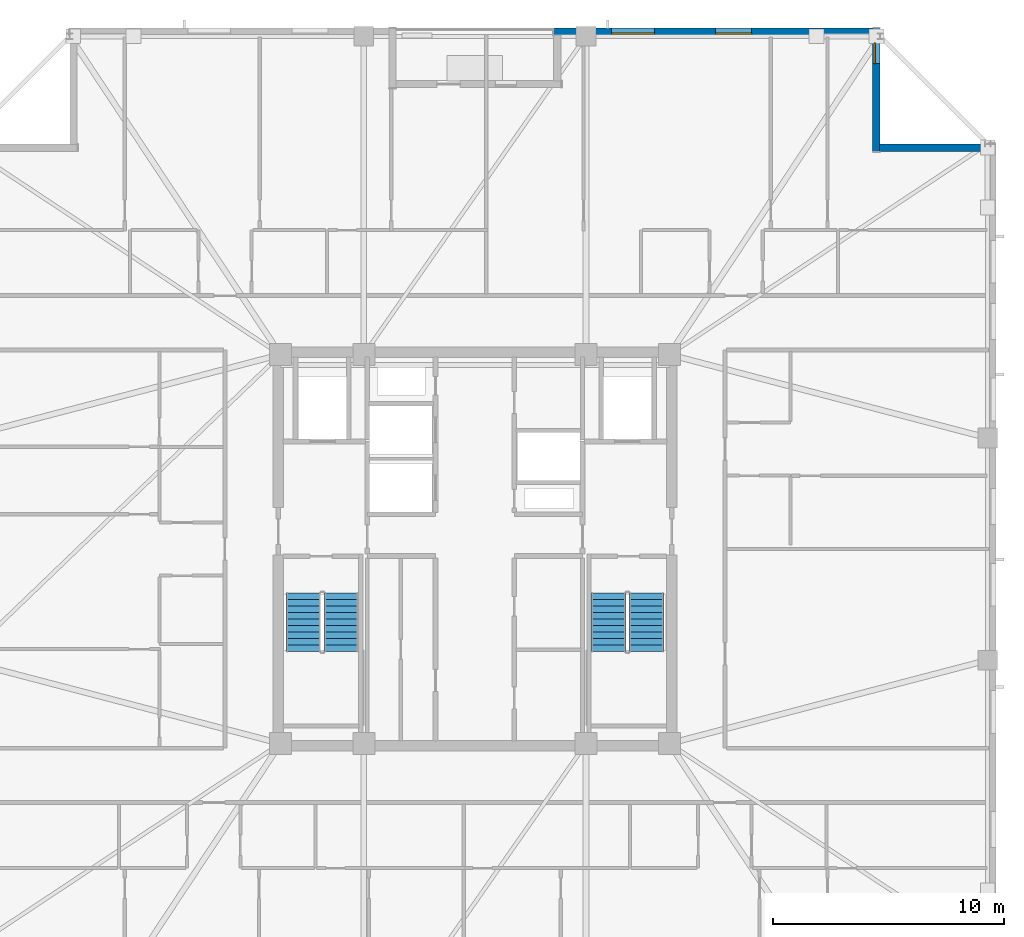
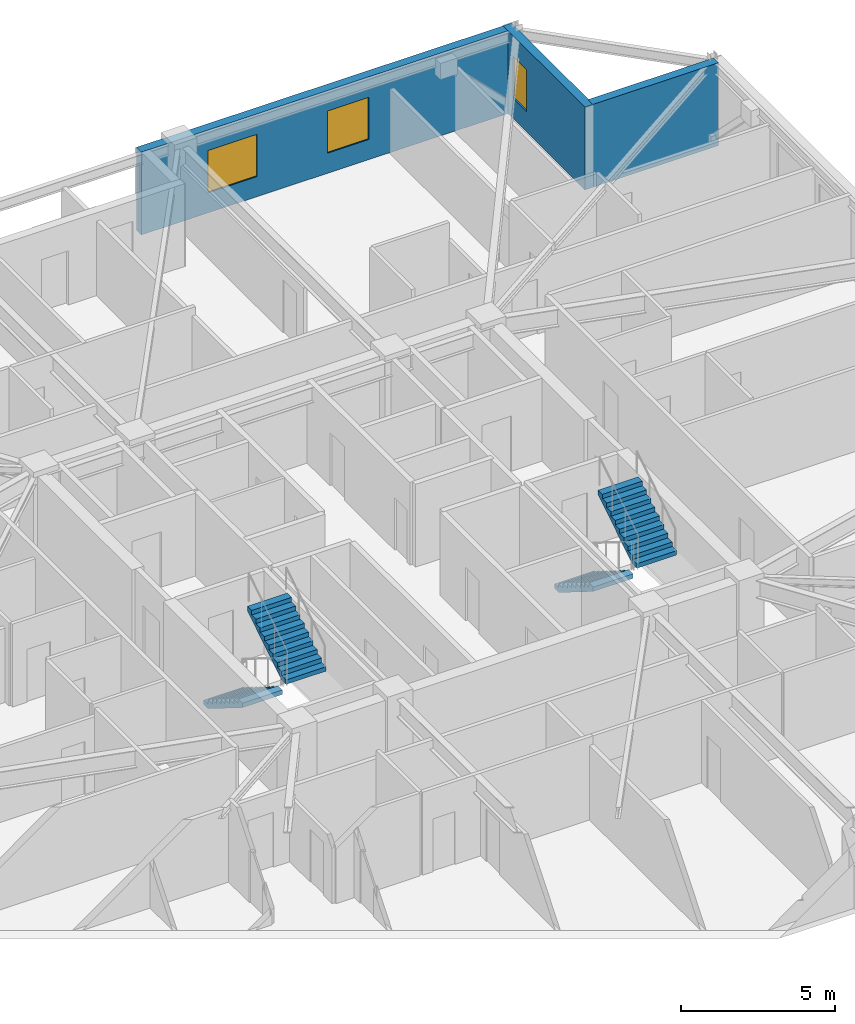
# One storey, part 12 of 17: 4 stair flights, 3 walls, 3 windows, 3 openings, 2 elements without a shape of their own.
"""IFC4 building model written with IfcOpenShell, lengths in metres."""

import ifcopenshell
import ifcopenshell.guid

model = None  # the IFC model being written
_history = None  # IfcOwnerHistory: only IFC2X3 demands one
_inside = {}  # id of a spatial element -> (the spatial element, [elements in it])
_under = {}  # id of a project, library or spatial element -> (it, [spatial elements below it])
_declared = {}  # id of a project -> (the project, [libraries it declares])
_typed = {}  # id of a type object -> (the type object, [elements of that type])
_made_of = {}  # id of a material, layer set ... -> (it, [elements and type objects made of it])


def new_model(schema):
    """Start an empty IFC model of exactly this schema.

    Asked for "IFC4X3", IfcOpenShell would pick the latest addendum, in which some entities
    have other attributes; the version numbers below select the first issue.
    IFC2X3 requires an IfcOwnerHistory on every rooted entity: one is made here for all.
    """
    global model, _history
    if schema == "IFC4X3":
        model = ifcopenshell.file(schema_version=(4, 3, 0, 0))
    else:
        model = ifcopenshell.file(schema=schema)
    _inside.clear()
    _under.clear()
    _declared.clear()
    _typed.clear()
    _made_of.clear()
    _history = None
    if model.schema == "IFC2X3":
        org = make("IfcOrganization", Name="unknown")
        user = make(
            "IfcPersonAndOrganization",
            ThePerson=make("IfcPerson", FamilyName="unknown"),
            TheOrganization=org,
        )
        app = make(
            "IfcApplication",
            ApplicationDeveloper=org,
            Version="unknown",
            ApplicationFullName="unknown",
            ApplicationIdentifier="unknown",
        )
        _history = make(
            "IfcOwnerHistory",
            OwningUser=user,
            OwningApplication=app,
            ChangeAction="ADDED",
            CreationDate=0,
        )
    return model


def make(cls, **values):
    """One entity of the class cls with the attributes given. An attribute that is None is left unset."""
    return model.create_entity(
        cls, **{name: value for name, value in values.items() if value is not None}
    )


def rooted(cls, **values):
    """An entity with a GlobalId (a new one), such as an element, a storey or a relation."""
    return make(cls, GlobalId=ifcopenshell.guid.new(), OwnerHistory=_history, **values)


def si_unit(unit_type, name, prefix=None):
    """IfcSIUnit, for example si_unit("LENGTHUNIT", "METRE", prefix="MILLI")."""
    return make("IfcSIUnit", UnitType=unit_type, Prefix=prefix, Name=name)


def assignment(units):
    """IfcUnitAssignment: the units of a project."""
    return None if units is None else make("IfcUnitAssignment", Units=units)


def point(xyz):
    """IfcCartesianPoint."""
    return None if xyz is None else make("IfcCartesianPoint", Coordinates=xyz)


def direction(xyz):
    """IfcDirection."""
    return None if xyz is None else make("IfcDirection", DirectionRatios=xyz)


def frame(location, z_axis=None, x_axis=None):
    """IfcAxis2Placement3D, a coordinate frame: its origin and axes. An axis left out is left unset."""
    return make(
        "IfcAxis2Placement3D",
        Location=point(location),
        Axis=direction(z_axis),
        RefDirection=direction(x_axis),
    )


def frame_2d(location, x_axis=None):
    """IfcAxis2Placement2D, a coordinate frame in the plane: its origin and x axis."""
    return make(
        "IfcAxis2Placement2D", Location=point(location), RefDirection=direction(x_axis)
    )


def origin():
    """The frame at (0, 0, 0) with its axes left unset."""
    return frame((0.0, 0.0, 0.0))


def place(relative_to, where):
    """IfcLocalPlacement: puts the frame where relative to a parent placement (None: the world)."""
    return make(
        "IfcLocalPlacement", PlacementRelTo=relative_to, RelativePlacement=where
    )


def context(
    kind, dimensions, precision=None, world=None, true_north=None, identifier=None
):
    """IfcGeometricRepresentationContext, for example the 3D "Model" context."""
    return make(
        "IfcGeometricRepresentationContext",
        ContextIdentifier=identifier,
        ContextType=kind,
        CoordinateSpaceDimension=dimensions,
        Precision=precision,
        WorldCoordinateSystem=world,
        TrueNorth=true_north,
    )


def subcontext(parent, identifier, kind, view, scale=None):
    """IfcGeometricRepresentationSubContext, for example "Body" below "Model"."""
    return make(
        "IfcGeometricRepresentationSubContext",
        ContextIdentifier=identifier,
        ContextType=kind,
        ParentContext=parent,
        TargetScale=scale,
        TargetView=view,
    )


def project(units=None, contexts=None):
    """IfcProject with its units and contexts."""
    return rooted(
        "IfcProject",
        Name="project",
        RepresentationContexts=contexts,
        UnitsInContext=assignment(units),
    )


def spatial(cls, under=None, at=None, **own):
    """A site, building, storey or space (cls), placed at a placement, below another one or the project."""
    s = rooted(cls, ObjectPlacement=at, **own)
    if under is not None:
        _under.setdefault(under.id(), (under, []))[1].append(s)
    return s


def polyline(points):
    """IfcPolyline through the points."""
    return make("IfcPolyline", Points=[point(p) for p in points])


def profile(cls, at=None, kind="AREA", **sizes):
    """A parametric profile (cls). Its sizes go by their IFC names, for example OverallWidth=200.0."""
    return make(cls, ProfileType=kind, Position=at, **sizes)


def rectangle(**sizes):
    """IfcRectangleProfileDef."""
    return profile("IfcRectangleProfileDef", **sizes)


def outline(outer, holes=None, kind="AREA"):
    """IfcArbitraryClosedProfileDef: a profile drawn as a closed curve; with holes, ...WithVoids."""
    if holes is None:
        return make("IfcArbitraryClosedProfileDef", ProfileType=kind, OuterCurve=outer)
    return make(
        "IfcArbitraryProfileDefWithVoids",
        ProfileType=kind,
        OuterCurve=outer,
        InnerCurves=holes,
    )


def extrude(swept, where, along, depth):
    """IfcExtrudedAreaSolid: the profile swept, set in the frame where, extruded along a direction by depth."""
    return make(
        "IfcExtrudedAreaSolid",
        SweptArea=swept,
        Position=where,
        ExtrudedDirection=direction(along),
        Depth=depth,
    )


def shape(context_of_items, identifier, shape_type, items):
    """IfcShapeRepresentation: the items that make up one representation, for example the "Body"."""
    return make(
        "IfcShapeRepresentation",
        ContextOfItems=context_of_items,
        RepresentationIdentifier=identifier,
        RepresentationType=shape_type,
        Items=items,
    )


def material(Name=None, Category=None):
    """IfcMaterial."""
    return make("IfcMaterial", Name=Name, Category=Category)


def layer(
    of_material, thickness, ventilated=None, Name=None, Category=None, Priority=None
):
    """IfcMaterialLayer: one layer of a wall or slab, of a material (None: an air gap)."""
    return make(
        "IfcMaterialLayer",
        Material=of_material,
        LayerThickness=thickness,
        IsVentilated=ventilated,
        Name=Name,
        Category=Category,
        Priority=Priority,
    )


def layer_set(layers, Name=None):
    """IfcMaterialLayerSet."""
    return make("IfcMaterialLayerSet", MaterialLayers=layers, LayerSetName=Name)


def made_of(thing, what):
    """Note that an element or type object is made of a material, layer set ...; save() writes the relation."""
    if what is not None:
        _made_of.setdefault(what.id(), (what, []))[1].append(thing)
    return thing


def type_object(cls, material=None, **own):
    """A type object (cls), such as IfcWallType, which elements share."""
    return made_of(rooted(cls, **own), material)


def element(
    cls,
    number,
    at=None,
    inside=None,
    cuts=None,
    type_object=None,
    material=None,
    context=None,
    identifier="Body",
    shape_type=None,
    held_by="IfcProductDefinitionShape",
    body=None,
    shapes=None,
    **own,
):
    """One element of the class cls, such as IfcWall. Its Tag is "e" and its number.

    at: its placement. inside: the storey or other place that contains it. cuts: it is an
    opening in that element (IfcRelVoidsElement). A single representation is given by context,
    identifier, shape_type and body (its items); several are given by shapes. held_by: the class
    of the entity that holds the representations. save() writes the other relations.
    """
    e = rooted(cls, Tag="e%d" % number, ObjectPlacement=at, **own)
    if body is not None:
        shapes = [shape(context, identifier, shape_type, body)]
    if shapes is not None:
        e.Representation = make(held_by, Representations=shapes)
    if inside is not None:
        _inside.setdefault(inside.id(), (inside, []))[1].append(e)
    if cuts is not None:
        rooted(
            "IfcRelVoidsElement", RelatingBuildingElement=cuts, RelatedOpeningElement=e
        )
    if type_object is not None:
        _typed.setdefault(type_object.id(), (type_object, []))[1].append(e)
    return made_of(e, material)


def fill(opening, filler):
    """IfcRelFillsElement: the door or window that sits in an opening."""
    return rooted(
        "IfcRelFillsElement",
        RelatingOpeningElement=opening,
        RelatedBuildingElement=filler,
    )


def aggregate(whole, parts):
    """IfcRelAggregates: a whole, such as a stair, and the parts it consists of."""
    return rooted("IfcRelAggregates", RelatingObject=whole, RelatedObjects=parts)


def save(model, path):
    """Write the relations noted so far, then the file.

    IfcRelAggregates (storeys below a building ...), IfcRelContainedInSpatialStructure (elements
    in a storey), IfcRelDefinesByType, IfcRelAssociatesMaterial and IfcRelDeclares: one each for
    every whole, place, type object, material and project.
    """
    for whole, parts in _under.values():
        aggregate(whole, parts)
    for where, things in _inside.values():
        rooted(
            "IfcRelContainedInSpatialStructure",
            RelatedElements=things,
            RelatingStructure=where,
        )
    for kind, things in _typed.values():
        rooted("IfcRelDefinesByType", RelatedObjects=things, RelatingType=kind)
    for what, things in _made_of.values():
        rooted("IfcRelAssociatesMaterial", RelatedObjects=things, RelatingMaterial=what)
    for by, libraries in _declared.values():
        rooted("IfcRelDeclares", RelatingContext=by, RelatedDefinitions=libraries)
    model.write(path)


model = new_model("IFC4")

# Units and contexts
model_context = context("Model", 3, precision=1e-05, world=origin(), true_north=direction((0.0, 1.0)))
body_context = subcontext(model_context, "Body", "Model", "MODEL_VIEW")
ifc_project = project(units=[si_unit("LENGTHUNIT", "METRE"), si_unit("AREAUNIT", "SQUARE_METRE"), si_unit("VOLUMEUNIT", "CUBIC_METRE"), si_unit("PLANEANGLEUNIT", "RADIAN"), si_unit("MASSUNIT", "GRAM", prefix="KILO")], contexts=[model_context])

# Site, building, storey
site_placement = place(None, origin())
site = spatial("IfcSite", under=ifc_project, at=site_placement, CompositionType="ELEMENT")
building_placement = place(site_placement, origin())
building = spatial("IfcBuilding", under=site, at=building_placement, Name="Cairnveth Concourse Tower", CompositionType="ELEMENT")
storey_placement = place(building_placement, frame((0.0, 0.0, 209.5)))
storey = spatial("IfcBuildingStorey", under=building, at=storey_placement, Name="L57", CompositionType="ELEMENT", Elevation=209.5)

# Wall, openings, windows
ifc_material_1 = material(Name="Melbourne Buff Fired Clay Brick Masonry", Category="masonry")
ifc_layer = layer(ifc_material_1, 0.320068359375)
ifc_layer_set = layer_set([ifc_layer], Name="Melbourne Buff Fired Clay Brick Masonry")
wall_type = type_object("IfcWallType", Name="ZONE 3 BRICK PIER SPANDREL WALL 320", PredefinedType="SOLIDWALL", material=ifc_layer_set)
wall_1_placement = place(storey_placement, frame((55.39990234375, 61.340087890625, 0.0), z_axis=(0.0, 0.0, 1.0), x_axis=(1.0, 0.0, 0.0)))
wall_1 = element("IfcWall", 1, at=wall_1_placement, inside=storey, type_object=wall_type, Name="Exterior Wall EW-L57-S00", PredefinedType="SOLIDWALL", context=body_context, shape_type="SweptSolid", body=[
    extrude(rectangle(XDim=13.802001953125, YDim=0.320068359375, at=frame_2d((6.90087890625, 0.0))), origin(), (0.0, 0.0, 1.0), 3.2900390625),
])
opening_1_placement = place(wall_1_placement, frame((2.50048828125, 0.0, 0.800048828125)))
opening_1 = element("IfcOpeningElement", 2, at=opening_1_placement, cuts=wall_1, Name="Opening W08", PredefinedType="OPENING", context=body_context, shape_type="SweptSolid", body=[
    extrude(rectangle(XDim=1.85009765625, YDim=1.677978515625, at=frame_2d((0.925048828125, 0.8388671875))), frame((0.0, 0.169921875, 0.0), z_axis=(0.0, -1.0, 0.0), x_axis=(1.0, 0.0, 0.0)), (0.0, 0.0, 1.0), 0.340087890625),
])
opening_2_placement = place(wall_1_placement, frame((7.00146484375, 0.0, 0.800048828125)))
opening_2 = element("IfcOpeningElement", 3, at=opening_2_placement, cuts=wall_1, Name="Opening W07", PredefinedType="OPENING", context=body_context, shape_type="SweptSolid", body=[
    extrude(rectangle(XDim=1.550048828125, YDim=1.677978515625, at=frame_2d((0.77490234375, 0.8388671875))), frame((0.0, 0.169921875, 0.0), z_axis=(0.0, -1.0, 0.0), x_axis=(1.0, 0.0, 0.0)), (0.0, 0.0, 1.0), 0.340087890625),
])
ifc_material_2 = material(Name="Double Glazed Low-E Clear Glass", Category="glass")
window_type_1 = type_object("IfcWindowType", Name="DEEP-SET APARTMENT LIVING WINDOW 1850X1850", PartitioningType="DOUBLE_PANEL_VERTICAL", PredefinedType="WINDOW", material=ifc_material_2)
window_1_placement = place(opening_1_placement, origin())
window_1 = element("IfcWindow", 4, at=window_1_placement, inside=storey, type_object=window_type_1, Name="Gothic Lancet Window L57-0-1", OverallHeight=1.677978515625, OverallWidth=1.85009765625, PartitioningType="SINGLE_PANEL", PredefinedType="WINDOW", context=body_context, shape_type="SweptSolid", body=[
    extrude(rectangle(XDim=1.85009765625, YDim=1.677978515625, at=frame_2d((0.925048828125, 0.8388671875))), frame((0.0, -0.050048828125, 0.0), z_axis=(0.0, -1.0, 0.0), x_axis=(1.0, 0.0, 0.0)), (0.0, 0.0, 1.0), 0.06005859375),
])
fill(opening_1, window_1)
window_type_2 = type_object("IfcWindowType", Name="DEEP-SET APARTMENT WINDOW 1550X1800", PartitioningType="DOUBLE_PANEL_VERTICAL", PredefinedType="WINDOW", material=ifc_material_2)
window_2_placement = place(opening_2_placement, origin())
window_2 = element("IfcWindow", 5, at=window_2_placement, inside=storey, type_object=window_type_2, Name="Gothic Lancet Window L57-0-2", OverallHeight=1.677978515625, OverallWidth=1.550048828125, PartitioningType="SINGLE_PANEL", PredefinedType="WINDOW", context=body_context, shape_type="SweptSolid", body=[
    extrude(rectangle(XDim=1.550048828125, YDim=1.677978515625, at=frame_2d((0.77490234375, 0.8388671875))), frame((0.0, -0.050048828125, 0.0), z_axis=(0.0, -1.0, 0.0), x_axis=(1.0, 0.0, 0.0)), (0.0, 0.0, 1.0), 0.06005859375),
])
fill(opening_2, window_2)

# Wall, opening, window
wall_2_placement = place(storey_placement, frame((69.340087890625, 61.5, 0.0), z_axis=(0.0, 0.0, 1.0), x_axis=(0.0, -1.0, 0.0)))
wall_2 = element("IfcWall", 6, at=wall_2_placement, inside=storey, type_object=wall_type, Name="Exterior Wall EW-L57-S01", PredefinedType="SOLIDWALL", context=body_context, shape_type="SweptSolid", body=[
    extrude(rectangle(XDim=5.320068359375, YDim=0.320068359375, at=frame_2d((2.66015625, 0.0))), origin(), (0.0, 0.0, 1.0), 3.2900390625),
])
opening_3_placement = place(wall_2_placement, frame((0.6298828125, 0.0, 0.800048828125)))
opening_3 = element("IfcOpeningElement", 7, at=opening_3_placement, cuts=wall_2, Name="Opening W13", PredefinedType="OPENING", context=body_context, shape_type="SweptSolid", body=[
    extrude(rectangle(XDim=0.89990234375, YDim=1.677978515625, at=frame_2d((0.449951171875, 0.8388671875))), frame((0.0, 0.169921875, 0.0), z_axis=(0.0, -1.0, 0.0), x_axis=(1.0, 0.0, 0.0)), (0.0, 0.0, 1.0), 0.340087890625),
])
window_type_3 = type_object("IfcWindowType", Name="DEEP-SET BEDROOM LANCET WINDOW 900X1750", PartitioningType="DOUBLE_PANEL_VERTICAL", PredefinedType="WINDOW", material=ifc_material_2)
window_3_placement = place(opening_3_placement, origin())
window_3 = element("IfcWindow", 8, at=window_3_placement, inside=storey, type_object=window_type_3, Name="Dwelling Lancet Window L57-DW5", OverallHeight=1.677978515625, OverallWidth=0.89990234375, PartitioningType="SINGLE_PANEL", PredefinedType="WINDOW", context=body_context, shape_type="SweptSolid", body=[
    extrude(rectangle(XDim=0.89990234375, YDim=1.677978515625, at=frame_2d((0.449951171875, 0.8388671875))), frame((0.0, -0.0400390625, 0.0), z_axis=(0.0, -1.0, 0.0), x_axis=(1.0, 0.0, 0.0)), (0.0, 0.0, 1.0), 0.06005859375),
])
fill(opening_3, window_3)

# Wall
wall_3_placement = place(storey_placement, frame((69.47802734375, 56.340087890625, 0.0), z_axis=(0.0, 0.0, 1.0), x_axis=(1.0, 0.0, 0.0)))
element("IfcWall", 9, at=wall_3_placement, inside=storey, type_object=wall_type, Name="Exterior Wall EW-L57-S02", PredefinedType="SOLIDWALL", context=body_context, shape_type="SweptSolid", body=[
    extrude(rectangle(XDim=4.723876953125, YDim=0.320068359375, at=frame_2d((2.36181640625, 0.0))), origin(), (0.0, 0.0, 1.0), 3.2900390625),
])

# Stair, stair flights
ifc_material_3 = material(Name="Precast concrete N50 (50 MPa)", Category="concrete")
stair_type = type_object("IfcStairType", Name="CORE DOG-LEG FIRE STAIR 1500", PredefinedType="HALF_TURN_STAIR", material=ifc_material_3)
stair_1_placement = place(storey_placement, origin())
stair_1 = element("IfcStair", 10, at=stair_1_placement, inside=storey, type_object=stair_type, Name="L57 Fire-Isolated Stair ST-1", PredefinedType="HALF_TURN_STAIR")
stair_flight_type = type_object("IfcStairFlightType", Name="PRECAST CONCRETE STAIR FLIGHT 1500", PredefinedType="STRAIGHT", material=ifc_material_3)
stair_flight_1_placement = place(storey_placement, frame((44.590087890625, 37.10009765625, 0.0), z_axis=(0.0, 0.0, 1.0), x_axis=(0.0, -1.0, 0.0)))
stair_flight_1 = element("IfcStairFlight", 11, at=stair_flight_1_placement, type_object=stair_flight_type, Name="ST-1 flight 1", NumberOfRisers=10, NumberOfTreads=9, PredefinedType="STRAIGHT", RiserHeight=0.175, TreadLength=0.28, context=body_context, shape_type="SweptSolid", body=[
    extrude(outline(polyline([(0.0, 0.0), (0.0, 0.175048828125), (0.280029296875, 0.175048828125), (0.280029296875, 0.35009765625), (0.56005859375, 0.35009765625), (0.56005859375, 0.52490234375), (0.840087890625, 0.52490234375), (0.840087890625, 0.699951171875), (1.1201171875, 0.699951171875), (1.1201171875, 0.875), (1.39990234375, 0.875), (1.39990234375, 1.050048828125), (1.679931640625, 1.050048828125), (1.679931640625, 1.22509765625), (1.9599609375, 1.22509765625), (1.9599609375, 1.39990234375), (2.239990234375, 1.39990234375), (2.239990234375, 1.574951171875), (2.52001953125, 1.574951171875), (2.52001953125, 1.75), (2.52001953125, 1.398193359375), (0.28271484375, 0.0), (0.0, 0.0)])), frame((0.0, 0.75, 0.0), z_axis=(0.0, -1.0, 0.0), x_axis=(1.0, 0.0, 0.0)), (0.0, 0.0, 1.0), 1.5),
])
stair_flight_2_placement = place(storey_placement, frame((46.22998046875, 34.580078125, 1.75), z_axis=(0.0, 0.0, 1.0), x_axis=(0.0, 1.0, 0.0)))
stair_flight_2 = element("IfcStairFlight", 12, at=stair_flight_2_placement, type_object=stair_flight_type, Name="ST-1 flight 2", NumberOfRisers=10, NumberOfTreads=9, PredefinedType="STRAIGHT", RiserHeight=0.175, TreadLength=0.28, context=body_context, shape_type="SweptSolid", body=[
    extrude(outline(polyline([(0.0, 0.0), (0.0, 0.175048828125), (0.280029296875, 0.175048828125), (0.280029296875, 0.35009765625), (0.56005859375, 0.35009765625), (0.56005859375, 0.52490234375), (0.840087890625, 0.52490234375), (0.840087890625, 0.699951171875), (1.1201171875, 0.699951171875), (1.1201171875, 0.875), (1.39990234375, 0.875), (1.39990234375, 1.050048828125), (1.679931640625, 1.050048828125), (1.679931640625, 1.22509765625), (1.9599609375, 1.22509765625), (1.9599609375, 1.39990234375), (2.239990234375, 1.39990234375), (2.239990234375, 1.574951171875), (2.52001953125, 1.574951171875), (2.52001953125, 1.75), (2.52001953125, 1.398193359375), (0.28271484375, 0.0), (0.0, 0.0)])), frame((0.0, 0.75, 0.0), z_axis=(0.0, -1.0, 0.0), x_axis=(1.0, 0.0, 0.0)), (0.0, 0.0, 1.0), 1.5),
])
aggregate(stair_1, [stair_flight_1, stair_flight_2])

stair_2_placement = place(storey_placement, origin())
stair_2 = element("IfcStair", 13, at=stair_2_placement, inside=storey, type_object=stair_type, Name="L57 Fire-Isolated Stair ST-2", PredefinedType="HALF_TURN_STAIR")
stair_flight_3_placement = place(storey_placement, frame((57.77001953125, 37.10009765625, 0.0), z_axis=(0.0, 0.0, 1.0), x_axis=(0.0, -1.0, 0.0)))
stair_flight_3 = element("IfcStairFlight", 14, at=stair_flight_3_placement, type_object=stair_flight_type, Name="ST-2 flight 1", NumberOfRisers=10, NumberOfTreads=9, PredefinedType="STRAIGHT", RiserHeight=0.175, TreadLength=0.28, context=body_context, shape_type="SweptSolid", body=[
    extrude(outline(polyline([(0.0, 0.0), (0.0, 0.175048828125), (0.280029296875, 0.175048828125), (0.280029296875, 0.35009765625), (0.56005859375, 0.35009765625), (0.56005859375, 0.52490234375), (0.840087890625, 0.52490234375), (0.840087890625, 0.699951171875), (1.1201171875, 0.699951171875), (1.1201171875, 0.875), (1.39990234375, 0.875), (1.39990234375, 1.050048828125), (1.679931640625, 1.050048828125), (1.679931640625, 1.22509765625), (1.9599609375, 1.22509765625), (1.9599609375, 1.39990234375), (2.239990234375, 1.39990234375), (2.239990234375, 1.574951171875), (2.52001953125, 1.574951171875), (2.52001953125, 1.75), (2.52001953125, 1.398193359375), (0.28271484375, 0.0), (0.0, 0.0)])), frame((0.0, 0.75, 0.0), z_axis=(0.0, -1.0, 0.0), x_axis=(1.0, 0.0, 0.0)), (0.0, 0.0, 1.0), 1.5),
])
stair_flight_4_placement = place(storey_placement, frame((59.409912109375, 34.580078125, 1.75), z_axis=(0.0, 0.0, 1.0), x_axis=(0.0, 1.0, 0.0)))
stair_flight_4 = element("IfcStairFlight", 15, at=stair_flight_4_placement, type_object=stair_flight_type, Name="ST-2 flight 2", NumberOfRisers=10, NumberOfTreads=9, PredefinedType="STRAIGHT", RiserHeight=0.175, TreadLength=0.28, context=body_context, shape_type="SweptSolid", body=[
    extrude(outline(polyline([(0.0, 0.0), (0.0, 0.175048828125), (0.280029296875, 0.175048828125), (0.280029296875, 0.35009765625), (0.56005859375, 0.35009765625), (0.56005859375, 0.52490234375), (0.840087890625, 0.52490234375), (0.840087890625, 0.699951171875), (1.1201171875, 0.699951171875), (1.1201171875, 0.875), (1.39990234375, 0.875), (1.39990234375, 1.050048828125), (1.679931640625, 1.050048828125), (1.679931640625, 1.22509765625), (1.9599609375, 1.22509765625), (1.9599609375, 1.39990234375), (2.239990234375, 1.39990234375), (2.239990234375, 1.574951171875), (2.52001953125, 1.574951171875), (2.52001953125, 1.75), (2.52001953125, 1.398193359375), (0.28271484375, 0.0), (0.0, 0.0)])), frame((0.0, 0.75, 0.0), z_axis=(0.0, -1.0, 0.0), x_axis=(1.0, 0.0, 0.0)), (0.0, 0.0, 1.0), 1.5),
])
aggregate(stair_2, [stair_flight_3, stair_flight_4])

save(model, "model.ifc")
